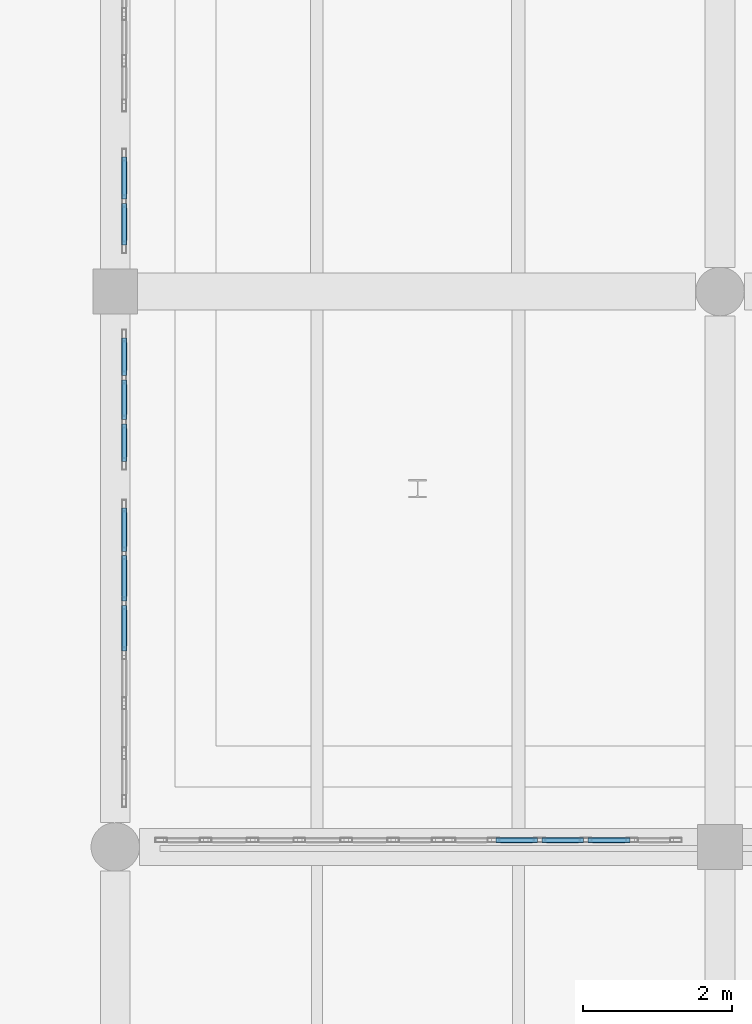
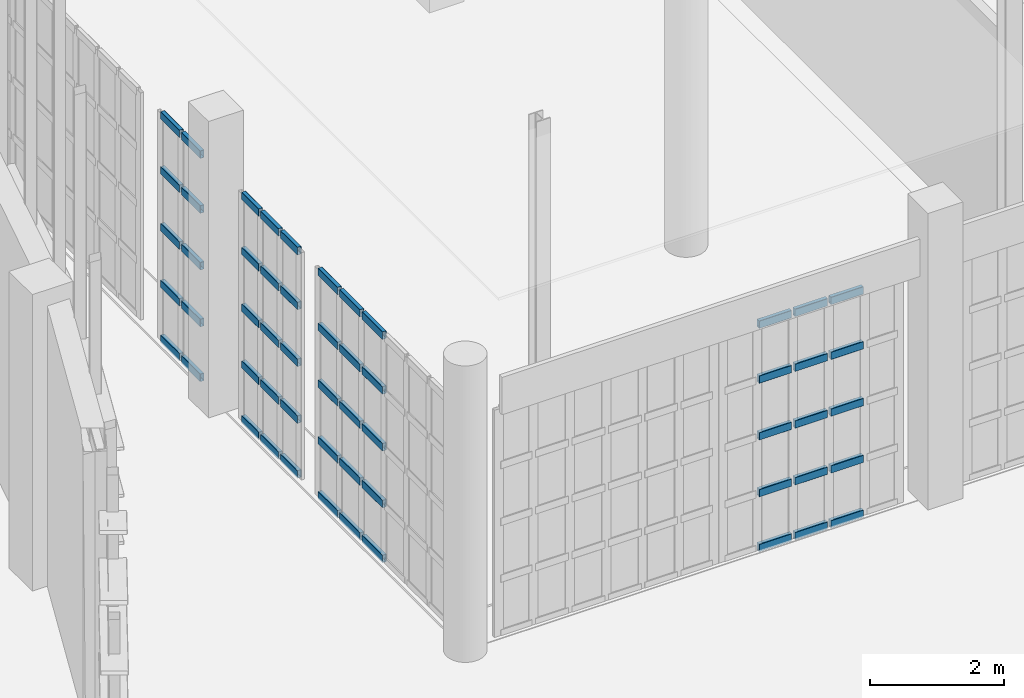
# One storey, part 305 of 372: 55 members, 4 elements without a shape of their own.
"""IFC4 building model written with IfcOpenShell, lengths in metres."""

from ifc_helpers import new_model, si_unit, direction, frame, origin, origin_2d, place, context, subcontext, project, spatial, hollow_rectangle, extrude, material, material_profile, profile_set, type_object, element, aggregate, save


model = new_model("IFC4")

# Units and contexts
model_context = context("Model", 3, precision=1e-05, world=origin(), true_north=direction((0.0, 1.0)))
body_context = subcontext(model_context, "Body", "Model", "MODEL_VIEW")
ifc_project = project(units=[si_unit("LENGTHUNIT", "METRE"), si_unit("AREAUNIT", "SQUARE_METRE"), si_unit("VOLUMEUNIT", "CUBIC_METRE"), si_unit("PLANEANGLEUNIT", "RADIAN"), si_unit("MASSUNIT", "GRAM", prefix="KILO")], contexts=[model_context])

# Site, building, storey
site_placement = place(None, origin())
site = spatial("IfcSite", under=ifc_project, at=site_placement, CompositionType="ELEMENT")
building_placement = place(site_placement, origin())
building = spatial("IfcBuilding", under=site, at=building_placement, Name="Kaelora Sail Theatre", CompositionType="ELEMENT")
storey_placement = place(building_placement, origin())
storey = spatial("IfcBuildingStorey", under=building, at=storey_placement, Name="L00", CompositionType="ELEMENT", Elevation=0.0)

# Curtain wall, members
ifc_material_1 = material(Name="Anodised aluminium and solar-control low-E IGU", Category="aluminium")
curtain_wall_type = type_object("IfcCurtainWallType", Name="ARC-CW-CW-FOY2", PredefinedType="NOTDEFINED", material=ifc_material_1)
curtain_wall_1_placement = place(storey_placement, origin())
curtain_wall_1 = element("IfcCurtainWall", 1, at=curtain_wall_1_placement, inside=storey, type_object=curtain_wall_type, Name="East Interstitial Sail Foyer Curtain Wall L00-02", PredefinedType="NOTDEFINED")
ifc_material_2 = material(Name="Anodised aluminium 6063-T6", Category="aluminium")
ifc_material_profile = material_profile(ifc_material_2, hollow_rectangle(XDim=0.070068359375, YDim=0.139892578125, WallThickness=0.00390625, InnerFilletRadius=0.00390625, OuterFilletRadius=0.008056640625, at=origin_2d()), Name="ALU-TRAN 70x140x4")
ifc_profile_set = profile_set([ifc_material_profile], Name="Anodised aluminium 6063-T6")
member_type = type_object("IfcMemberType", Name="ARC-MEM-TR-140", PredefinedType="USERDEFINED", material=ifc_profile_set)
member_1_placement = place(storey_placement, frame((111.89794921875, 38.7900390625, 0.034912109375), z_axis=(1.0, 0.0, 0.0), x_axis=(0.0, 1.0, 0.0)))
member_1 = element("IfcMember", 2, at=member_1_placement, type_object=member_type, Name="CW-FOY2 transom 2.1", ObjectType="TRANSOM", PredefinedType="USERDEFINED", context=body_context, shape_type="SweptSolid", body=[
    extrude(hollow_rectangle(XDim=0.070068359375, YDim=0.139892578125, WallThickness=0.00390625, InnerFilletRadius=0.00390625, OuterFilletRadius=0.008056640625, at=origin_2d()), origin(), (0.0, 0.0, 1.0), 0.55810546875),
])
member_2_placement = place(storey_placement, frame((111.89794921875, 38.7900390625, 1.0341796875), z_axis=(1.0, 0.0, 0.0), x_axis=(0.0, 1.0, 0.0)))
member_2 = element("IfcMember", 3, at=member_2_placement, type_object=member_type, Name="CW-FOY2 transom 2.2", ObjectType="TRANSOM", PredefinedType="USERDEFINED", context=body_context, shape_type="SweptSolid", body=[
    extrude(hollow_rectangle(XDim=0.070068359375, YDim=0.139892578125, WallThickness=0.00390625, InnerFilletRadius=0.00390625, OuterFilletRadius=0.008056640625, at=origin_2d()), origin(), (0.0, 0.0, 1.0), 0.55810546875),
])
member_3_placement = place(storey_placement, frame((111.89794921875, 38.7900390625, 2.068603515625), z_axis=(1.0, 0.0, 0.0), x_axis=(0.0, 1.0, 0.0)))
member_3 = element("IfcMember", 4, at=member_3_placement, type_object=member_type, Name="CW-FOY2 transom 2.3", ObjectType="TRANSOM", PredefinedType="USERDEFINED", context=body_context, shape_type="SweptSolid", body=[
    extrude(hollow_rectangle(XDim=0.070068359375, YDim=0.139892578125, WallThickness=0.00390625, InnerFilletRadius=0.00390625, OuterFilletRadius=0.008056640625, at=origin_2d()), origin(), (0.0, 0.0, 1.0), 0.55810546875),
])
member_4_placement = place(storey_placement, frame((111.89794921875, 38.7900390625, 3.102783203125), z_axis=(1.0, 0.0, 0.0), x_axis=(0.0, 1.0, 0.0)))
member_4 = element("IfcMember", 5, at=member_4_placement, type_object=member_type, Name="CW-FOY2 transom 2.4", ObjectType="TRANSOM", PredefinedType="USERDEFINED", context=body_context, shape_type="SweptSolid", body=[
    extrude(hollow_rectangle(XDim=0.070068359375, YDim=0.139892578125, WallThickness=0.00390625, InnerFilletRadius=0.00390625, OuterFilletRadius=0.008056640625, at=origin_2d()), origin(), (0.0, 0.0, 1.0), 0.55810546875),
])
member_5_placement = place(storey_placement, frame((111.89794921875, 38.7900390625, 4.10205078125), z_axis=(1.0, 0.0, 0.0), x_axis=(0.0, 1.0, 0.0)))
member_5 = element("IfcMember", 6, at=member_5_placement, type_object=member_type, Name="CW-FOY2 transom 2.5", ObjectType="TRANSOM", PredefinedType="USERDEFINED", context=body_context, shape_type="SweptSolid", body=[
    extrude(hollow_rectangle(XDim=0.070068359375, YDim=0.139892578125, WallThickness=0.00390625, InnerFilletRadius=0.00390625, OuterFilletRadius=0.008056640625, at=origin_2d()), origin(), (0.0, 0.0, 1.0), 0.55810546875),
])
member_6_placement = place(storey_placement, frame((112.51611328125, 38.7900390625, 0.034912109375), z_axis=(1.0, 0.0, 0.0), x_axis=(0.0, 1.0, 0.0)))
member_6 = element("IfcMember", 7, at=member_6_placement, type_object=member_type, Name="CW-FOY2 transom 3.1", ObjectType="TRANSOM", PredefinedType="USERDEFINED", context=body_context, shape_type="SweptSolid", body=[
    extrude(hollow_rectangle(XDim=0.070068359375, YDim=0.139892578125, WallThickness=0.00390625, InnerFilletRadius=0.00390625, OuterFilletRadius=0.008056640625, at=origin_2d()), origin(), (0.0, 0.0, 1.0), 0.557861328125),
])
member_7_placement = place(storey_placement, frame((112.51611328125, 38.7900390625, 1.0341796875), z_axis=(1.0, 0.0, 0.0), x_axis=(0.0, 1.0, 0.0)))
member_7 = element("IfcMember", 8, at=member_7_placement, type_object=member_type, Name="CW-FOY2 transom 3.2", ObjectType="TRANSOM", PredefinedType="USERDEFINED", context=body_context, shape_type="SweptSolid", body=[
    extrude(hollow_rectangle(XDim=0.070068359375, YDim=0.139892578125, WallThickness=0.00390625, InnerFilletRadius=0.00390625, OuterFilletRadius=0.008056640625, at=origin_2d()), origin(), (0.0, 0.0, 1.0), 0.557861328125),
])
member_8_placement = place(storey_placement, frame((112.51611328125, 38.7900390625, 2.068603515625), z_axis=(1.0, 0.0, 0.0), x_axis=(0.0, 1.0, 0.0)))
member_8 = element("IfcMember", 9, at=member_8_placement, type_object=member_type, Name="CW-FOY2 transom 3.3", ObjectType="TRANSOM", PredefinedType="USERDEFINED", context=body_context, shape_type="SweptSolid", body=[
    extrude(hollow_rectangle(XDim=0.070068359375, YDim=0.139892578125, WallThickness=0.00390625, InnerFilletRadius=0.00390625, OuterFilletRadius=0.008056640625, at=origin_2d()), origin(), (0.0, 0.0, 1.0), 0.557861328125),
])
member_9_placement = place(storey_placement, frame((112.51611328125, 38.7900390625, 3.102783203125), z_axis=(1.0, 0.0, 0.0), x_axis=(0.0, 1.0, 0.0)))
member_9 = element("IfcMember", 10, at=member_9_placement, type_object=member_type, Name="CW-FOY2 transom 3.4", ObjectType="TRANSOM", PredefinedType="USERDEFINED", context=body_context, shape_type="SweptSolid", body=[
    extrude(hollow_rectangle(XDim=0.070068359375, YDim=0.139892578125, WallThickness=0.00390625, InnerFilletRadius=0.00390625, OuterFilletRadius=0.008056640625, at=origin_2d()), origin(), (0.0, 0.0, 1.0), 0.557861328125),
])
member_10_placement = place(storey_placement, frame((112.51611328125, 38.7900390625, 4.10205078125), z_axis=(1.0, 0.0, 0.0), x_axis=(0.0, 1.0, 0.0)))
member_10 = element("IfcMember", 11, at=member_10_placement, type_object=member_type, Name="CW-FOY2 transom 3.5", ObjectType="TRANSOM", PredefinedType="USERDEFINED", context=body_context, shape_type="SweptSolid", body=[
    extrude(hollow_rectangle(XDim=0.070068359375, YDim=0.139892578125, WallThickness=0.00390625, InnerFilletRadius=0.00390625, OuterFilletRadius=0.008056640625, at=origin_2d()), origin(), (0.0, 0.0, 1.0), 0.557861328125),
])
member_11_placement = place(storey_placement, frame((113.134033203125, 38.7900390625, 0.034912109375), z_axis=(1.0, 0.0, 0.0), x_axis=(0.0, 1.0, 0.0)))
member_11 = element("IfcMember", 12, at=member_11_placement, type_object=member_type, Name="CW-FOY2 transom 4.1", ObjectType="TRANSOM", PredefinedType="USERDEFINED", context=body_context, shape_type="SweptSolid", body=[
    extrude(hollow_rectangle(XDim=0.070068359375, YDim=0.139892578125, WallThickness=0.00390625, InnerFilletRadius=0.00390625, OuterFilletRadius=0.008056640625, at=origin_2d()), origin(), (0.0, 0.0, 1.0), 0.557861328125),
])
member_12_placement = place(storey_placement, frame((113.134033203125, 38.7900390625, 1.0341796875), z_axis=(1.0, 0.0, 0.0), x_axis=(0.0, 1.0, 0.0)))
member_12 = element("IfcMember", 13, at=member_12_placement, type_object=member_type, Name="CW-FOY2 transom 4.2", ObjectType="TRANSOM", PredefinedType="USERDEFINED", context=body_context, shape_type="SweptSolid", body=[
    extrude(hollow_rectangle(XDim=0.070068359375, YDim=0.139892578125, WallThickness=0.00390625, InnerFilletRadius=0.00390625, OuterFilletRadius=0.008056640625, at=origin_2d()), origin(), (0.0, 0.0, 1.0), 0.557861328125),
])
member_13_placement = place(storey_placement, frame((113.134033203125, 38.7900390625, 2.068603515625), z_axis=(1.0, 0.0, 0.0), x_axis=(0.0, 1.0, 0.0)))
member_13 = element("IfcMember", 14, at=member_13_placement, type_object=member_type, Name="CW-FOY2 transom 4.3", ObjectType="TRANSOM", PredefinedType="USERDEFINED", context=body_context, shape_type="SweptSolid", body=[
    extrude(hollow_rectangle(XDim=0.070068359375, YDim=0.139892578125, WallThickness=0.00390625, InnerFilletRadius=0.00390625, OuterFilletRadius=0.008056640625, at=origin_2d()), origin(), (0.0, 0.0, 1.0), 0.557861328125),
])
member_14_placement = place(storey_placement, frame((113.134033203125, 38.7900390625, 3.102783203125), z_axis=(1.0, 0.0, 0.0), x_axis=(0.0, 1.0, 0.0)))
member_14 = element("IfcMember", 15, at=member_14_placement, type_object=member_type, Name="CW-FOY2 transom 4.4", ObjectType="TRANSOM", PredefinedType="USERDEFINED", context=body_context, shape_type="SweptSolid", body=[
    extrude(hollow_rectangle(XDim=0.070068359375, YDim=0.139892578125, WallThickness=0.00390625, InnerFilletRadius=0.00390625, OuterFilletRadius=0.008056640625, at=origin_2d()), origin(), (0.0, 0.0, 1.0), 0.557861328125),
])
member_15_placement = place(storey_placement, frame((113.134033203125, 38.7900390625, 4.10205078125), z_axis=(1.0, 0.0, 0.0), x_axis=(0.0, 1.0, 0.0)))
member_15 = element("IfcMember", 16, at=member_15_placement, type_object=member_type, Name="CW-FOY2 transom 4.5", ObjectType="TRANSOM", PredefinedType="USERDEFINED", context=body_context, shape_type="SweptSolid", body=[
    extrude(hollow_rectangle(XDim=0.070068359375, YDim=0.139892578125, WallThickness=0.00390625, InnerFilletRadius=0.00390625, OuterFilletRadius=0.008056640625, at=origin_2d()), origin(), (0.0, 0.0, 1.0), 0.557861328125),
])
aggregate(curtain_wall_1, [member_1, member_2, member_3, member_4, member_5, member_6, member_7, member_8, member_9, member_10, member_11, member_12, member_13, member_14, member_15])

curtain_wall_2_placement = place(storey_placement, origin())
curtain_wall_2 = element("IfcCurtainWall", 17, at=curtain_wall_2_placement, inside=storey, type_object=curtain_wall_type, Name="East Interstitial Foyer West Glazed Return L00-01", PredefinedType="NOTDEFINED")
member_16_placement = place(storey_placement, frame((106.919921875, 41.322509765625, 0.034912109375), z_axis=(0.0, 1.0, 0.0), x_axis=(-1.0, 0.0, 0.0)))
member_16 = element("IfcMember", 18, at=member_16_placement, type_object=member_type, Name="CW-FOY2 transom 4.1", ObjectType="TRANSOM", PredefinedType="USERDEFINED", context=body_context, shape_type="SweptSolid", body=[
    extrude(hollow_rectangle(XDim=0.070068359375, YDim=0.139892578125, WallThickness=0.00390625, InnerFilletRadius=0.00390625, OuterFilletRadius=0.008056640625, at=origin_2d()), origin(), (0.0, 0.0, 1.0), 0.609130859375),
])
member_17_placement = place(storey_placement, frame((106.919921875, 41.322509765625, 1.0341796875), z_axis=(0.0, 1.0, 0.0), x_axis=(-1.0, 0.0, 0.0)))
member_17 = element("IfcMember", 19, at=member_17_placement, type_object=member_type, Name="CW-FOY2 transom 4.2", ObjectType="TRANSOM", PredefinedType="USERDEFINED", context=body_context, shape_type="SweptSolid", body=[
    extrude(hollow_rectangle(XDim=0.070068359375, YDim=0.139892578125, WallThickness=0.00390625, InnerFilletRadius=0.00390625, OuterFilletRadius=0.008056640625, at=origin_2d()), origin(), (0.0, 0.0, 1.0), 0.609130859375),
])
member_18_placement = place(storey_placement, frame((106.919921875, 41.322509765625, 2.068603515625), z_axis=(0.0, 1.0, 0.0), x_axis=(-1.0, 0.0, 0.0)))
member_18 = element("IfcMember", 20, at=member_18_placement, type_object=member_type, Name="CW-FOY2 transom 4.3", ObjectType="TRANSOM", PredefinedType="USERDEFINED", context=body_context, shape_type="SweptSolid", body=[
    extrude(hollow_rectangle(XDim=0.070068359375, YDim=0.139892578125, WallThickness=0.00390625, InnerFilletRadius=0.00390625, OuterFilletRadius=0.008056640625, at=origin_2d()), origin(), (0.0, 0.0, 1.0), 0.609130859375),
])
member_19_placement = place(storey_placement, frame((106.919921875, 41.322509765625, 3.102783203125), z_axis=(0.0, 1.0, 0.0), x_axis=(-1.0, 0.0, 0.0)))
member_19 = element("IfcMember", 21, at=member_19_placement, type_object=member_type, Name="CW-FOY2 transom 4.4", ObjectType="TRANSOM", PredefinedType="USERDEFINED", context=body_context, shape_type="SweptSolid", body=[
    extrude(hollow_rectangle(XDim=0.070068359375, YDim=0.139892578125, WallThickness=0.00390625, InnerFilletRadius=0.00390625, OuterFilletRadius=0.008056640625, at=origin_2d()), origin(), (0.0, 0.0, 1.0), 0.609130859375),
])
member_20_placement = place(storey_placement, frame((106.919921875, 41.322509765625, 4.10205078125), z_axis=(0.0, 1.0, 0.0), x_axis=(-1.0, 0.0, 0.0)))
member_20 = element("IfcMember", 22, at=member_20_placement, type_object=member_type, Name="CW-FOY2 transom 4.5", ObjectType="TRANSOM", PredefinedType="USERDEFINED", context=body_context, shape_type="SweptSolid", body=[
    extrude(hollow_rectangle(XDim=0.070068359375, YDim=0.139892578125, WallThickness=0.00390625, InnerFilletRadius=0.00390625, OuterFilletRadius=0.008056640625, at=origin_2d()), origin(), (0.0, 0.0, 1.0), 0.609130859375),
])
member_21_placement = place(storey_placement, frame((106.919921875, 41.99169921875, 0.034912109375), z_axis=(0.0, 1.0, 0.0), x_axis=(-1.0, 0.0, 0.0)))
member_21 = element("IfcMember", 23, at=member_21_placement, type_object=member_type, Name="CW-FOY2 transom 5.1", ObjectType="TRANSOM", PredefinedType="USERDEFINED", context=body_context, shape_type="SweptSolid", body=[
    extrude(hollow_rectangle(XDim=0.070068359375, YDim=0.139892578125, WallThickness=0.00390625, InnerFilletRadius=0.00390625, OuterFilletRadius=0.008056640625, at=origin_2d()), origin(), (0.0, 0.0, 1.0), 0.609130859375),
])
member_22_placement = place(storey_placement, frame((106.919921875, 41.99169921875, 1.0341796875), z_axis=(0.0, 1.0, 0.0), x_axis=(-1.0, 0.0, 0.0)))
member_22 = element("IfcMember", 24, at=member_22_placement, type_object=member_type, Name="CW-FOY2 transom 5.2", ObjectType="TRANSOM", PredefinedType="USERDEFINED", context=body_context, shape_type="SweptSolid", body=[
    extrude(hollow_rectangle(XDim=0.070068359375, YDim=0.139892578125, WallThickness=0.00390625, InnerFilletRadius=0.00390625, OuterFilletRadius=0.008056640625, at=origin_2d()), origin(), (0.0, 0.0, 1.0), 0.609130859375),
])
member_23_placement = place(storey_placement, frame((106.919921875, 41.99169921875, 2.068603515625), z_axis=(0.0, 1.0, 0.0), x_axis=(-1.0, 0.0, 0.0)))
member_23 = element("IfcMember", 25, at=member_23_placement, type_object=member_type, Name="CW-FOY2 transom 5.3", ObjectType="TRANSOM", PredefinedType="USERDEFINED", context=body_context, shape_type="SweptSolid", body=[
    extrude(hollow_rectangle(XDim=0.070068359375, YDim=0.139892578125, WallThickness=0.00390625, InnerFilletRadius=0.00390625, OuterFilletRadius=0.008056640625, at=origin_2d()), origin(), (0.0, 0.0, 1.0), 0.609130859375),
])
member_24_placement = place(storey_placement, frame((106.919921875, 41.99169921875, 3.102783203125), z_axis=(0.0, 1.0, 0.0), x_axis=(-1.0, 0.0, 0.0)))
member_24 = element("IfcMember", 26, at=member_24_placement, type_object=member_type, Name="CW-FOY2 transom 5.4", ObjectType="TRANSOM", PredefinedType="USERDEFINED", context=body_context, shape_type="SweptSolid", body=[
    extrude(hollow_rectangle(XDim=0.070068359375, YDim=0.139892578125, WallThickness=0.00390625, InnerFilletRadius=0.00390625, OuterFilletRadius=0.008056640625, at=origin_2d()), origin(), (0.0, 0.0, 1.0), 0.609130859375),
])
member_25_placement = place(storey_placement, frame((106.919921875, 41.99169921875, 4.10205078125), z_axis=(0.0, 1.0, 0.0), x_axis=(-1.0, 0.0, 0.0)))
member_25 = element("IfcMember", 27, at=member_25_placement, type_object=member_type, Name="CW-FOY2 transom 5.5", ObjectType="TRANSOM", PredefinedType="USERDEFINED", context=body_context, shape_type="SweptSolid", body=[
    extrude(hollow_rectangle(XDim=0.070068359375, YDim=0.139892578125, WallThickness=0.00390625, InnerFilletRadius=0.00390625, OuterFilletRadius=0.008056640625, at=origin_2d()), origin(), (0.0, 0.0, 1.0), 0.609130859375),
])
member_26_placement = place(storey_placement, frame((106.919921875, 42.660888671875, 0.034912109375), z_axis=(0.0, 1.0, 0.0), x_axis=(-1.0, 0.0, 0.0)))
member_26 = element("IfcMember", 28, at=member_26_placement, type_object=member_type, Name="CW-FOY2 transom 6.1", ObjectType="TRANSOM", PredefinedType="USERDEFINED", context=body_context, shape_type="SweptSolid", body=[
    extrude(hollow_rectangle(XDim=0.070068359375, YDim=0.139892578125, WallThickness=0.00390625, InnerFilletRadius=0.00390625, OuterFilletRadius=0.008056640625, at=origin_2d()), origin(), (0.0, 0.0, 1.0), 0.5791015625),
])
member_27_placement = place(storey_placement, frame((106.919921875, 42.660888671875, 1.0341796875), z_axis=(0.0, 1.0, 0.0), x_axis=(-1.0, 0.0, 0.0)))
member_27 = element("IfcMember", 29, at=member_27_placement, type_object=member_type, Name="CW-FOY2 transom 6.2", ObjectType="TRANSOM", PredefinedType="USERDEFINED", context=body_context, shape_type="SweptSolid", body=[
    extrude(hollow_rectangle(XDim=0.070068359375, YDim=0.139892578125, WallThickness=0.00390625, InnerFilletRadius=0.00390625, OuterFilletRadius=0.008056640625, at=origin_2d()), origin(), (0.0, 0.0, 1.0), 0.5791015625),
])
member_28_placement = place(storey_placement, frame((106.919921875, 42.660888671875, 2.068603515625), z_axis=(0.0, 1.0, 0.0), x_axis=(-1.0, 0.0, 0.0)))
member_28 = element("IfcMember", 30, at=member_28_placement, type_object=member_type, Name="CW-FOY2 transom 6.3", ObjectType="TRANSOM", PredefinedType="USERDEFINED", context=body_context, shape_type="SweptSolid", body=[
    extrude(hollow_rectangle(XDim=0.070068359375, YDim=0.139892578125, WallThickness=0.00390625, InnerFilletRadius=0.00390625, OuterFilletRadius=0.008056640625, at=origin_2d()), origin(), (0.0, 0.0, 1.0), 0.5791015625),
])
member_29_placement = place(storey_placement, frame((106.919921875, 42.660888671875, 3.102783203125), z_axis=(0.0, 1.0, 0.0), x_axis=(-1.0, 0.0, 0.0)))
member_29 = element("IfcMember", 31, at=member_29_placement, type_object=member_type, Name="CW-FOY2 transom 6.4", ObjectType="TRANSOM", PredefinedType="USERDEFINED", context=body_context, shape_type="SweptSolid", body=[
    extrude(hollow_rectangle(XDim=0.070068359375, YDim=0.139892578125, WallThickness=0.00390625, InnerFilletRadius=0.00390625, OuterFilletRadius=0.008056640625, at=origin_2d()), origin(), (0.0, 0.0, 1.0), 0.5791015625),
])
member_30_placement = place(storey_placement, frame((106.919921875, 42.660888671875, 4.10205078125), z_axis=(0.0, 1.0, 0.0), x_axis=(-1.0, 0.0, 0.0)))
member_30 = element("IfcMember", 32, at=member_30_placement, type_object=member_type, Name="CW-FOY2 transom 6.5", ObjectType="TRANSOM", PredefinedType="USERDEFINED", context=body_context, shape_type="SweptSolid", body=[
    extrude(hollow_rectangle(XDim=0.070068359375, YDim=0.139892578125, WallThickness=0.00390625, InnerFilletRadius=0.00390625, OuterFilletRadius=0.008056640625, at=origin_2d()), origin(), (0.0, 0.0, 1.0), 0.5791015625),
])
aggregate(curtain_wall_2, [member_16, member_17, member_18, member_19, member_20, member_21, member_22, member_23, member_24, member_25, member_26, member_27, member_28, member_29, member_30])

curtain_wall_3_placement = place(storey_placement, origin())
curtain_wall_3 = element("IfcCurtainWall", 33, at=curtain_wall_3_placement, inside=storey, type_object=curtain_wall_type, Name="East Interstitial Foyer West Glazed Return L00-02", PredefinedType="NOTDEFINED")
member_31_placement = place(storey_placement, frame((106.919921875, 43.860107421875, 0.034912109375), z_axis=(0.0, 1.0, 0.0), x_axis=(-1.0, 0.0, 0.0)))
member_31 = element("IfcMember", 34, at=member_31_placement, type_object=member_type, Name="CW-FOY2 transom 1.1", ObjectType="TRANSOM", PredefinedType="USERDEFINED", context=body_context, shape_type="SweptSolid", body=[
    extrude(hollow_rectangle(XDim=0.070068359375, YDim=0.139892578125, WallThickness=0.00390625, InnerFilletRadius=0.00390625, OuterFilletRadius=0.008056640625, at=origin_2d()), origin(), (0.0, 0.0, 1.0), 0.503173828125),
])
member_32_placement = place(storey_placement, frame((106.919921875, 43.860107421875, 1.0341796875), z_axis=(0.0, 1.0, 0.0), x_axis=(-1.0, 0.0, 0.0)))
member_32 = element("IfcMember", 35, at=member_32_placement, type_object=member_type, Name="CW-FOY2 transom 1.2", ObjectType="TRANSOM", PredefinedType="USERDEFINED", context=body_context, shape_type="SweptSolid", body=[
    extrude(hollow_rectangle(XDim=0.070068359375, YDim=0.139892578125, WallThickness=0.00390625, InnerFilletRadius=0.00390625, OuterFilletRadius=0.008056640625, at=origin_2d()), origin(), (0.0, 0.0, 1.0), 0.503173828125),
])
member_33_placement = place(storey_placement, frame((106.919921875, 43.860107421875, 2.068603515625), z_axis=(0.0, 1.0, 0.0), x_axis=(-1.0, 0.0, 0.0)))
member_33 = element("IfcMember", 36, at=member_33_placement, type_object=member_type, Name="CW-FOY2 transom 1.3", ObjectType="TRANSOM", PredefinedType="USERDEFINED", context=body_context, shape_type="SweptSolid", body=[
    extrude(hollow_rectangle(XDim=0.070068359375, YDim=0.139892578125, WallThickness=0.00390625, InnerFilletRadius=0.00390625, OuterFilletRadius=0.008056640625, at=origin_2d()), origin(), (0.0, 0.0, 1.0), 0.503173828125),
])
member_34_placement = place(storey_placement, frame((106.919921875, 43.860107421875, 3.102783203125), z_axis=(0.0, 1.0, 0.0), x_axis=(-1.0, 0.0, 0.0)))
member_34 = element("IfcMember", 37, at=member_34_placement, type_object=member_type, Name="CW-FOY2 transom 1.4", ObjectType="TRANSOM", PredefinedType="USERDEFINED", context=body_context, shape_type="SweptSolid", body=[
    extrude(hollow_rectangle(XDim=0.070068359375, YDim=0.139892578125, WallThickness=0.00390625, InnerFilletRadius=0.00390625, OuterFilletRadius=0.008056640625, at=origin_2d()), origin(), (0.0, 0.0, 1.0), 0.503173828125),
])
member_35_placement = place(storey_placement, frame((106.919921875, 43.860107421875, 4.10205078125), z_axis=(0.0, 1.0, 0.0), x_axis=(-1.0, 0.0, 0.0)))
member_35 = element("IfcMember", 38, at=member_35_placement, type_object=member_type, Name="CW-FOY2 transom 1.5", ObjectType="TRANSOM", PredefinedType="USERDEFINED", context=body_context, shape_type="SweptSolid", body=[
    extrude(hollow_rectangle(XDim=0.070068359375, YDim=0.139892578125, WallThickness=0.00390625, InnerFilletRadius=0.00390625, OuterFilletRadius=0.008056640625, at=origin_2d()), origin(), (0.0, 0.0, 1.0), 0.503173828125),
])
member_36_placement = place(storey_placement, frame((106.919921875, 44.42333984375, 0.034912109375), z_axis=(0.0, 1.0, 0.0), x_axis=(-1.0, 0.0, 0.0)))
member_36 = element("IfcMember", 39, at=member_36_placement, type_object=member_type, Name="CW-FOY2 transom 2.1", ObjectType="TRANSOM", PredefinedType="USERDEFINED", context=body_context, shape_type="SweptSolid", body=[
    extrude(hollow_rectangle(XDim=0.070068359375, YDim=0.139892578125, WallThickness=0.00390625, InnerFilletRadius=0.00390625, OuterFilletRadius=0.008056640625, at=origin_2d()), origin(), (0.0, 0.0, 1.0), 0.533447265625),
])
member_37_placement = place(storey_placement, frame((106.919921875, 44.42333984375, 1.0341796875), z_axis=(0.0, 1.0, 0.0), x_axis=(-1.0, 0.0, 0.0)))
member_37 = element("IfcMember", 40, at=member_37_placement, type_object=member_type, Name="CW-FOY2 transom 2.2", ObjectType="TRANSOM", PredefinedType="USERDEFINED", context=body_context, shape_type="SweptSolid", body=[
    extrude(hollow_rectangle(XDim=0.070068359375, YDim=0.139892578125, WallThickness=0.00390625, InnerFilletRadius=0.00390625, OuterFilletRadius=0.008056640625, at=origin_2d()), origin(), (0.0, 0.0, 1.0), 0.533447265625),
])
member_38_placement = place(storey_placement, frame((106.919921875, 44.42333984375, 2.068603515625), z_axis=(0.0, 1.0, 0.0), x_axis=(-1.0, 0.0, 0.0)))
member_38 = element("IfcMember", 41, at=member_38_placement, type_object=member_type, Name="CW-FOY2 transom 2.3", ObjectType="TRANSOM", PredefinedType="USERDEFINED", context=body_context, shape_type="SweptSolid", body=[
    extrude(hollow_rectangle(XDim=0.070068359375, YDim=0.139892578125, WallThickness=0.00390625, InnerFilletRadius=0.00390625, OuterFilletRadius=0.008056640625, at=origin_2d()), origin(), (0.0, 0.0, 1.0), 0.533447265625),
])
member_39_placement = place(storey_placement, frame((106.919921875, 44.42333984375, 3.102783203125), z_axis=(0.0, 1.0, 0.0), x_axis=(-1.0, 0.0, 0.0)))
member_39 = element("IfcMember", 42, at=member_39_placement, type_object=member_type, Name="CW-FOY2 transom 2.4", ObjectType="TRANSOM", PredefinedType="USERDEFINED", context=body_context, shape_type="SweptSolid", body=[
    extrude(hollow_rectangle(XDim=0.070068359375, YDim=0.139892578125, WallThickness=0.00390625, InnerFilletRadius=0.00390625, OuterFilletRadius=0.008056640625, at=origin_2d()), origin(), (0.0, 0.0, 1.0), 0.533447265625),
])
member_40_placement = place(storey_placement, frame((106.919921875, 44.42333984375, 4.10205078125), z_axis=(0.0, 1.0, 0.0), x_axis=(-1.0, 0.0, 0.0)))
member_40 = element("IfcMember", 43, at=member_40_placement, type_object=member_type, Name="CW-FOY2 transom 2.5", ObjectType="TRANSOM", PredefinedType="USERDEFINED", context=body_context, shape_type="SweptSolid", body=[
    extrude(hollow_rectangle(XDim=0.070068359375, YDim=0.139892578125, WallThickness=0.00390625, InnerFilletRadius=0.00390625, OuterFilletRadius=0.008056640625, at=origin_2d()), origin(), (0.0, 0.0, 1.0), 0.533447265625),
])
member_41_placement = place(storey_placement, frame((106.919921875, 45.0166015625, 0.034912109375), z_axis=(0.0, 1.0, 0.0), x_axis=(-1.0, 0.0, 0.0)))
member_41 = element("IfcMember", 44, at=member_41_placement, type_object=member_type, Name="CW-FOY2 transom 3.1", ObjectType="TRANSOM", PredefinedType="USERDEFINED", context=body_context, shape_type="SweptSolid", body=[
    extrude(hollow_rectangle(XDim=0.070068359375, YDim=0.139892578125, WallThickness=0.00390625, InnerFilletRadius=0.00390625, OuterFilletRadius=0.008056640625, at=origin_2d()), origin(), (0.0, 0.0, 1.0), 0.50341796875),
])
member_42_placement = place(storey_placement, frame((106.919921875, 45.0166015625, 1.0341796875), z_axis=(0.0, 1.0, 0.0), x_axis=(-1.0, 0.0, 0.0)))
member_42 = element("IfcMember", 45, at=member_42_placement, type_object=member_type, Name="CW-FOY2 transom 3.2", ObjectType="TRANSOM", PredefinedType="USERDEFINED", context=body_context, shape_type="SweptSolid", body=[
    extrude(hollow_rectangle(XDim=0.070068359375, YDim=0.139892578125, WallThickness=0.00390625, InnerFilletRadius=0.00390625, OuterFilletRadius=0.008056640625, at=origin_2d()), origin(), (0.0, 0.0, 1.0), 0.50341796875),
])
member_43_placement = place(storey_placement, frame((106.919921875, 45.0166015625, 2.068603515625), z_axis=(0.0, 1.0, 0.0), x_axis=(-1.0, 0.0, 0.0)))
member_43 = element("IfcMember", 46, at=member_43_placement, type_object=member_type, Name="CW-FOY2 transom 3.3", ObjectType="TRANSOM", PredefinedType="USERDEFINED", context=body_context, shape_type="SweptSolid", body=[
    extrude(hollow_rectangle(XDim=0.070068359375, YDim=0.139892578125, WallThickness=0.00390625, InnerFilletRadius=0.00390625, OuterFilletRadius=0.008056640625, at=origin_2d()), origin(), (0.0, 0.0, 1.0), 0.50341796875),
])
member_44_placement = place(storey_placement, frame((106.919921875, 45.0166015625, 3.102783203125), z_axis=(0.0, 1.0, 0.0), x_axis=(-1.0, 0.0, 0.0)))
member_44 = element("IfcMember", 47, at=member_44_placement, type_object=member_type, Name="CW-FOY2 transom 3.4", ObjectType="TRANSOM", PredefinedType="USERDEFINED", context=body_context, shape_type="SweptSolid", body=[
    extrude(hollow_rectangle(XDim=0.070068359375, YDim=0.139892578125, WallThickness=0.00390625, InnerFilletRadius=0.00390625, OuterFilletRadius=0.008056640625, at=origin_2d()), origin(), (0.0, 0.0, 1.0), 0.50341796875),
])
member_45_placement = place(storey_placement, frame((106.919921875, 45.0166015625, 4.10205078125), z_axis=(0.0, 1.0, 0.0), x_axis=(-1.0, 0.0, 0.0)))
member_45 = element("IfcMember", 48, at=member_45_placement, type_object=member_type, Name="CW-FOY2 transom 3.5", ObjectType="TRANSOM", PredefinedType="USERDEFINED", context=body_context, shape_type="SweptSolid", body=[
    extrude(hollow_rectangle(XDim=0.070068359375, YDim=0.139892578125, WallThickness=0.00390625, InnerFilletRadius=0.00390625, OuterFilletRadius=0.008056640625, at=origin_2d()), origin(), (0.0, 0.0, 1.0), 0.50341796875),
])
aggregate(curtain_wall_3, [member_31, member_32, member_33, member_34, member_35, member_36, member_37, member_38, member_39, member_40, member_41, member_42, member_43, member_44, member_45])

curtain_wall_4_placement = place(storey_placement, origin())
curtain_wall_4 = element("IfcCurtainWall", 49, at=curtain_wall_4_placement, inside=storey, type_object=curtain_wall_type, Name="East Interstitial Foyer West Glazed Return L00-02", PredefinedType="NOTDEFINED")
member_46_placement = place(storey_placement, frame((106.919921875, 46.760009765625, 0.034912109375), z_axis=(0.0, 1.0, 0.0), x_axis=(-1.0, 0.0, 0.0)))
member_46 = element("IfcMember", 50, at=member_46_placement, type_object=member_type, Name="CW-FOY2 transom 1.1", ObjectType="TRANSOM", PredefinedType="USERDEFINED", context=body_context, shape_type="SweptSolid", body=[
    extrude(hollow_rectangle(XDim=0.070068359375, YDim=0.139892578125, WallThickness=0.00390625, InnerFilletRadius=0.00390625, OuterFilletRadius=0.008056640625, at=origin_2d()), origin(), (0.0, 0.0, 1.0), 0.56005859375),
])
member_47_placement = place(storey_placement, frame((106.919921875, 46.760009765625, 1.0341796875), z_axis=(0.0, 1.0, 0.0), x_axis=(-1.0, 0.0, 0.0)))
member_47 = element("IfcMember", 51, at=member_47_placement, type_object=member_type, Name="CW-FOY2 transom 1.2", ObjectType="TRANSOM", PredefinedType="USERDEFINED", context=body_context, shape_type="SweptSolid", body=[
    extrude(hollow_rectangle(XDim=0.070068359375, YDim=0.139892578125, WallThickness=0.00390625, InnerFilletRadius=0.00390625, OuterFilletRadius=0.008056640625, at=origin_2d()), origin(), (0.0, 0.0, 1.0), 0.56005859375),
])
member_48_placement = place(storey_placement, frame((106.919921875, 46.760009765625, 2.068603515625), z_axis=(0.0, 1.0, 0.0), x_axis=(-1.0, 0.0, 0.0)))
member_48 = element("IfcMember", 52, at=member_48_placement, type_object=member_type, Name="CW-FOY2 transom 1.3", ObjectType="TRANSOM", PredefinedType="USERDEFINED", context=body_context, shape_type="SweptSolid", body=[
    extrude(hollow_rectangle(XDim=0.070068359375, YDim=0.139892578125, WallThickness=0.00390625, InnerFilletRadius=0.00390625, OuterFilletRadius=0.008056640625, at=origin_2d()), origin(), (0.0, 0.0, 1.0), 0.56005859375),
])
member_49_placement = place(storey_placement, frame((106.919921875, 46.760009765625, 3.102783203125), z_axis=(0.0, 1.0, 0.0), x_axis=(-1.0, 0.0, 0.0)))
member_49 = element("IfcMember", 53, at=member_49_placement, type_object=member_type, Name="CW-FOY2 transom 1.4", ObjectType="TRANSOM", PredefinedType="USERDEFINED", context=body_context, shape_type="SweptSolid", body=[
    extrude(hollow_rectangle(XDim=0.070068359375, YDim=0.139892578125, WallThickness=0.00390625, InnerFilletRadius=0.00390625, OuterFilletRadius=0.008056640625, at=origin_2d()), origin(), (0.0, 0.0, 1.0), 0.56005859375),
])
member_50_placement = place(storey_placement, frame((106.919921875, 46.760009765625, 4.10205078125), z_axis=(0.0, 1.0, 0.0), x_axis=(-1.0, 0.0, 0.0)))
member_50 = element("IfcMember", 54, at=member_50_placement, type_object=member_type, Name="CW-FOY2 transom 1.5", ObjectType="TRANSOM", PredefinedType="USERDEFINED", context=body_context, shape_type="SweptSolid", body=[
    extrude(hollow_rectangle(XDim=0.070068359375, YDim=0.139892578125, WallThickness=0.00390625, InnerFilletRadius=0.00390625, OuterFilletRadius=0.008056640625, at=origin_2d()), origin(), (0.0, 0.0, 1.0), 0.56005859375),
])
member_51_placement = place(storey_placement, frame((106.919921875, 47.3798828125, 0.034912109375), z_axis=(0.0, 1.0, 0.0), x_axis=(-1.0, 0.0, 0.0)))
member_51 = element("IfcMember", 55, at=member_51_placement, type_object=member_type, Name="CW-FOY2 transom 2.1", ObjectType="TRANSOM", PredefinedType="USERDEFINED", context=body_context, shape_type="SweptSolid", body=[
    extrude(hollow_rectangle(XDim=0.070068359375, YDim=0.139892578125, WallThickness=0.00390625, InnerFilletRadius=0.00390625, OuterFilletRadius=0.008056640625, at=origin_2d()), origin(), (0.0, 0.0, 1.0), 0.56005859375),
])
member_52_placement = place(storey_placement, frame((106.919921875, 47.3798828125, 1.0341796875), z_axis=(0.0, 1.0, 0.0), x_axis=(-1.0, 0.0, 0.0)))
member_52 = element("IfcMember", 56, at=member_52_placement, type_object=member_type, Name="CW-FOY2 transom 2.2", ObjectType="TRANSOM", PredefinedType="USERDEFINED", context=body_context, shape_type="SweptSolid", body=[
    extrude(hollow_rectangle(XDim=0.070068359375, YDim=0.139892578125, WallThickness=0.00390625, InnerFilletRadius=0.00390625, OuterFilletRadius=0.008056640625, at=origin_2d()), origin(), (0.0, 0.0, 1.0), 0.56005859375),
])
member_53_placement = place(storey_placement, frame((106.919921875, 47.3798828125, 2.068603515625), z_axis=(0.0, 1.0, 0.0), x_axis=(-1.0, 0.0, 0.0)))
member_53 = element("IfcMember", 57, at=member_53_placement, type_object=member_type, Name="CW-FOY2 transom 2.3", ObjectType="TRANSOM", PredefinedType="USERDEFINED", context=body_context, shape_type="SweptSolid", body=[
    extrude(hollow_rectangle(XDim=0.070068359375, YDim=0.139892578125, WallThickness=0.00390625, InnerFilletRadius=0.00390625, OuterFilletRadius=0.008056640625, at=origin_2d()), origin(), (0.0, 0.0, 1.0), 0.56005859375),
])
member_54_placement = place(storey_placement, frame((106.919921875, 47.3798828125, 3.102783203125), z_axis=(0.0, 1.0, 0.0), x_axis=(-1.0, 0.0, 0.0)))
member_54 = element("IfcMember", 58, at=member_54_placement, type_object=member_type, Name="CW-FOY2 transom 2.4", ObjectType="TRANSOM", PredefinedType="USERDEFINED", context=body_context, shape_type="SweptSolid", body=[
    extrude(hollow_rectangle(XDim=0.070068359375, YDim=0.139892578125, WallThickness=0.00390625, InnerFilletRadius=0.00390625, OuterFilletRadius=0.008056640625, at=origin_2d()), origin(), (0.0, 0.0, 1.0), 0.56005859375),
])
member_55_placement = place(storey_placement, frame((106.919921875, 47.3798828125, 4.10205078125), z_axis=(0.0, 1.0, 0.0), x_axis=(-1.0, 0.0, 0.0)))
member_55 = element("IfcMember", 59, at=member_55_placement, type_object=member_type, Name="CW-FOY2 transom 2.5", ObjectType="TRANSOM", PredefinedType="USERDEFINED", context=body_context, shape_type="SweptSolid", body=[
    extrude(hollow_rectangle(XDim=0.070068359375, YDim=0.139892578125, WallThickness=0.00390625, InnerFilletRadius=0.00390625, OuterFilletRadius=0.008056640625, at=origin_2d()), origin(), (0.0, 0.0, 1.0), 0.56005859375),
])
aggregate(curtain_wall_4, [member_46, member_47, member_48, member_49, member_50, member_51, member_52, member_53, member_54, member_55])

save(model, "model.ifc")
